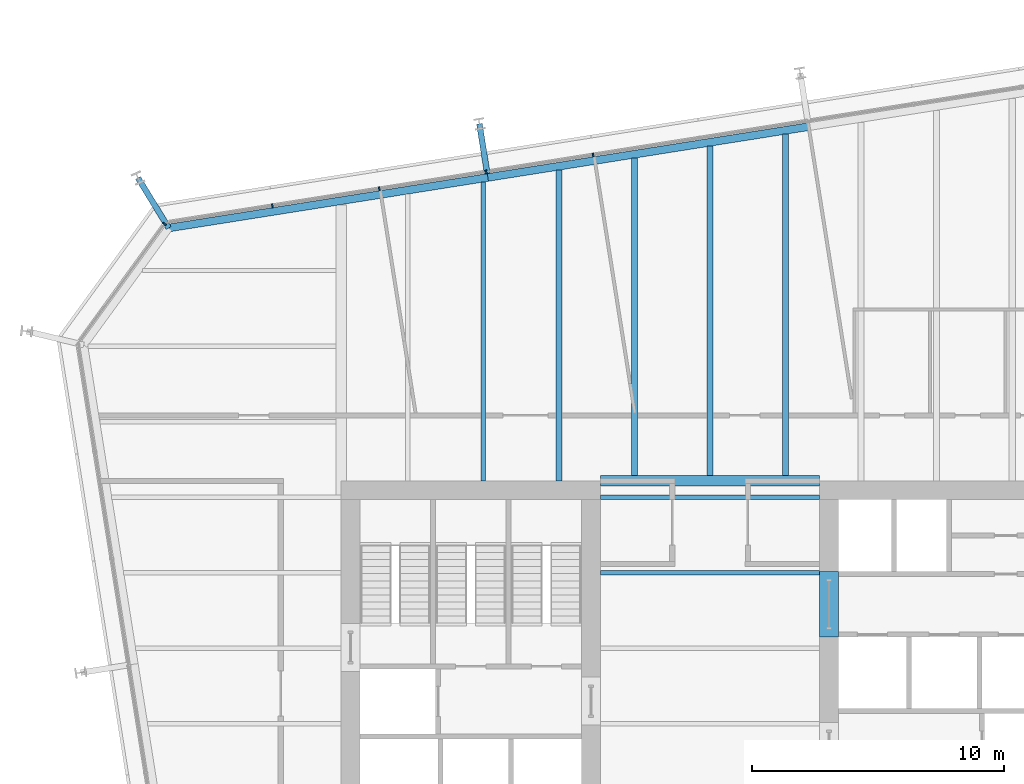
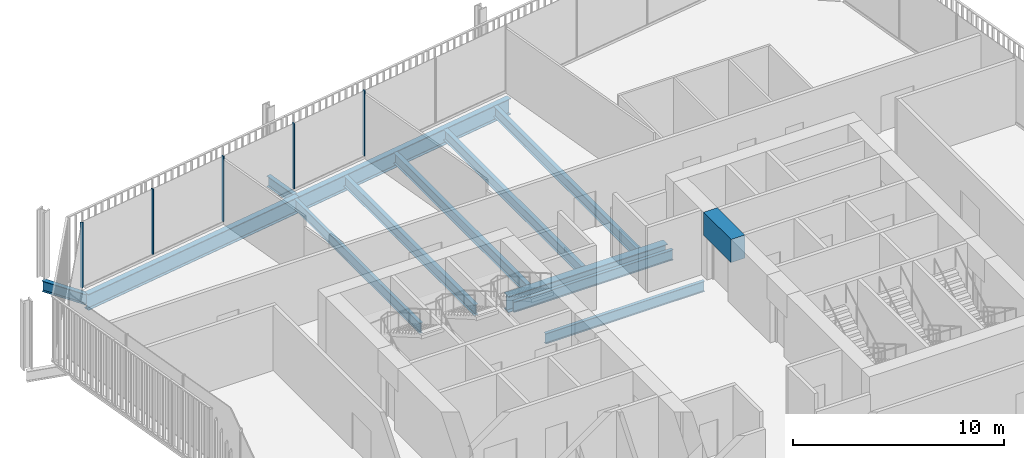
# One storey, part 11 of 21: 13 beams, 5 members, 2 elements without a shape of their own.
"""IFC4 building model written with IfcOpenShell, lengths in metres."""

import ifcopenshell
import ifcopenshell.guid

model = None  # the IFC model being written
_history = None  # IfcOwnerHistory: only IFC2X3 demands one
_inside = {}  # id of a spatial element -> (the spatial element, [elements in it])
_under = {}  # id of a project, library or spatial element -> (it, [spatial elements below it])
_declared = {}  # id of a project -> (the project, [libraries it declares])
_typed = {}  # id of a type object -> (the type object, [elements of that type])
_made_of = {}  # id of a material, layer set ... -> (it, [elements and type objects made of it])


def new_model(schema):
    """Start an empty IFC model of exactly this schema.

    Asked for "IFC4X3", IfcOpenShell would pick the latest addendum, in which some entities
    have other attributes; the version numbers below select the first issue.
    IFC2X3 requires an IfcOwnerHistory on every rooted entity: one is made here for all.
    """
    global model, _history
    if schema == "IFC4X3":
        model = ifcopenshell.file(schema_version=(4, 3, 0, 0))
    else:
        model = ifcopenshell.file(schema=schema)
    _inside.clear()
    _under.clear()
    _declared.clear()
    _typed.clear()
    _made_of.clear()
    _history = None
    if model.schema == "IFC2X3":
        org = make("IfcOrganization", Name="unknown")
        user = make(
            "IfcPersonAndOrganization",
            ThePerson=make("IfcPerson", FamilyName="unknown"),
            TheOrganization=org,
        )
        app = make(
            "IfcApplication",
            ApplicationDeveloper=org,
            Version="unknown",
            ApplicationFullName="unknown",
            ApplicationIdentifier="unknown",
        )
        _history = make(
            "IfcOwnerHistory",
            OwningUser=user,
            OwningApplication=app,
            ChangeAction="ADDED",
            CreationDate=0,
        )
    return model


def make(cls, **values):
    """One entity of the class cls with the attributes given. An attribute that is None is left unset."""
    return model.create_entity(
        cls, **{name: value for name, value in values.items() if value is not None}
    )


def rooted(cls, **values):
    """An entity with a GlobalId (a new one), such as an element, a storey or a relation."""
    return make(cls, GlobalId=ifcopenshell.guid.new(), OwnerHistory=_history, **values)


def si_unit(unit_type, name, prefix=None):
    """IfcSIUnit, for example si_unit("LENGTHUNIT", "METRE", prefix="MILLI")."""
    return make("IfcSIUnit", UnitType=unit_type, Prefix=prefix, Name=name)


def assignment(units):
    """IfcUnitAssignment: the units of a project."""
    return None if units is None else make("IfcUnitAssignment", Units=units)


def point(xyz):
    """IfcCartesianPoint."""
    return None if xyz is None else make("IfcCartesianPoint", Coordinates=xyz)


def direction(xyz):
    """IfcDirection."""
    return None if xyz is None else make("IfcDirection", DirectionRatios=xyz)


def frame(location, z_axis=None, x_axis=None):
    """IfcAxis2Placement3D, a coordinate frame: its origin and axes. An axis left out is left unset."""
    return make(
        "IfcAxis2Placement3D",
        Location=point(location),
        Axis=direction(z_axis),
        RefDirection=direction(x_axis),
    )


def frame_2d(location, x_axis=None):
    """IfcAxis2Placement2D, a coordinate frame in the plane: its origin and x axis."""
    return make(
        "IfcAxis2Placement2D", Location=point(location), RefDirection=direction(x_axis)
    )


def origin():
    """The frame at (0, 0, 0) with its axes left unset."""
    return frame((0.0, 0.0, 0.0))


def origin_2d():
    """The frame at (0, 0) in the plane with its x axis left unset."""
    return frame_2d((0.0, 0.0))


def place(relative_to, where):
    """IfcLocalPlacement: puts the frame where relative to a parent placement (None: the world)."""
    return make(
        "IfcLocalPlacement", PlacementRelTo=relative_to, RelativePlacement=where
    )


def context(
    kind, dimensions, precision=None, world=None, true_north=None, identifier=None
):
    """IfcGeometricRepresentationContext, for example the 3D "Model" context."""
    return make(
        "IfcGeometricRepresentationContext",
        ContextIdentifier=identifier,
        ContextType=kind,
        CoordinateSpaceDimension=dimensions,
        Precision=precision,
        WorldCoordinateSystem=world,
        TrueNorth=true_north,
    )


def subcontext(parent, identifier, kind, view, scale=None):
    """IfcGeometricRepresentationSubContext, for example "Body" below "Model"."""
    return make(
        "IfcGeometricRepresentationSubContext",
        ContextIdentifier=identifier,
        ContextType=kind,
        ParentContext=parent,
        TargetScale=scale,
        TargetView=view,
    )


def project(units=None, contexts=None):
    """IfcProject with its units and contexts."""
    return rooted(
        "IfcProject",
        Name="project",
        RepresentationContexts=contexts,
        UnitsInContext=assignment(units),
    )


def spatial(cls, under=None, at=None, **own):
    """A site, building, storey or space (cls), placed at a placement, below another one or the project."""
    s = rooted(cls, ObjectPlacement=at, **own)
    if under is not None:
        _under.setdefault(under.id(), (under, []))[1].append(s)
    return s


def profile(cls, at=None, kind="AREA", **sizes):
    """A parametric profile (cls). Its sizes go by their IFC names, for example OverallWidth=200.0."""
    return make(cls, ProfileType=kind, Position=at, **sizes)


def rectangle(**sizes):
    """IfcRectangleProfileDef."""
    return profile("IfcRectangleProfileDef", **sizes)


def i_section(**sizes):
    """IfcIShapeProfileDef."""
    return profile("IfcIShapeProfileDef", **sizes)


def extrude(swept, where, along, depth):
    """IfcExtrudedAreaSolid: the profile swept, set in the frame where, extruded along a direction by depth."""
    return make(
        "IfcExtrudedAreaSolid",
        SweptArea=swept,
        Position=where,
        ExtrudedDirection=direction(along),
        Depth=depth,
    )


def shape(context_of_items, identifier, shape_type, items):
    """IfcShapeRepresentation: the items that make up one representation, for example the "Body"."""
    return make(
        "IfcShapeRepresentation",
        ContextOfItems=context_of_items,
        RepresentationIdentifier=identifier,
        RepresentationType=shape_type,
        Items=items,
    )


def material(Name=None, Category=None):
    """IfcMaterial."""
    return make("IfcMaterial", Name=Name, Category=Category)


def layer(
    of_material, thickness, ventilated=None, Name=None, Category=None, Priority=None
):
    """IfcMaterialLayer: one layer of a wall or slab, of a material (None: an air gap)."""
    return make(
        "IfcMaterialLayer",
        Material=of_material,
        LayerThickness=thickness,
        IsVentilated=ventilated,
        Name=Name,
        Category=Category,
        Priority=Priority,
    )


def layer_set(layers, Name=None):
    """IfcMaterialLayerSet."""
    return make("IfcMaterialLayerSet", MaterialLayers=layers, LayerSetName=Name)


def material_profile(
    of_material, cross_section, Name=None, Category=None, Priority=None
):
    """IfcMaterialProfile: a cross section and its material."""
    return make(
        "IfcMaterialProfile",
        Name=Name,
        Material=of_material,
        Profile=cross_section,
        Priority=Priority,
        Category=Category,
    )


def profile_set(profiles, Name=None, composite=None):
    """IfcMaterialProfileSet."""
    return make(
        "IfcMaterialProfileSet",
        Name=Name,
        MaterialProfiles=profiles,
        CompositeProfile=composite,
    )


def made_of(thing, what):
    """Note that an element or type object is made of a material, layer set ...; save() writes the relation."""
    if what is not None:
        _made_of.setdefault(what.id(), (what, []))[1].append(thing)
    return thing


def type_object(cls, material=None, **own):
    """A type object (cls), such as IfcWallType, which elements share."""
    return made_of(rooted(cls, **own), material)


def element(
    cls,
    number,
    at=None,
    inside=None,
    cuts=None,
    type_object=None,
    material=None,
    context=None,
    identifier="Body",
    shape_type=None,
    held_by="IfcProductDefinitionShape",
    body=None,
    shapes=None,
    **own,
):
    """One element of the class cls, such as IfcWall. Its Tag is "e" and its number.

    at: its placement. inside: the storey or other place that contains it. cuts: it is an
    opening in that element (IfcRelVoidsElement). A single representation is given by context,
    identifier, shape_type and body (its items); several are given by shapes. held_by: the class
    of the entity that holds the representations. save() writes the other relations.
    """
    e = rooted(cls, Tag="e%d" % number, ObjectPlacement=at, **own)
    if body is not None:
        shapes = [shape(context, identifier, shape_type, body)]
    if shapes is not None:
        e.Representation = make(held_by, Representations=shapes)
    if inside is not None:
        _inside.setdefault(inside.id(), (inside, []))[1].append(e)
    if cuts is not None:
        rooted(
            "IfcRelVoidsElement", RelatingBuildingElement=cuts, RelatedOpeningElement=e
        )
    if type_object is not None:
        _typed.setdefault(type_object.id(), (type_object, []))[1].append(e)
    return made_of(e, material)


def aggregate(whole, parts):
    """IfcRelAggregates: a whole, such as a stair, and the parts it consists of."""
    return rooted("IfcRelAggregates", RelatingObject=whole, RelatedObjects=parts)


def save(model, path):
    """Write the relations noted so far, then the file.

    IfcRelAggregates (storeys below a building ...), IfcRelContainedInSpatialStructure (elements
    in a storey), IfcRelDefinesByType, IfcRelAssociatesMaterial and IfcRelDeclares: one each for
    every whole, place, type object, material and project.
    """
    for whole, parts in _under.values():
        aggregate(whole, parts)
    for where, things in _inside.values():
        rooted(
            "IfcRelContainedInSpatialStructure",
            RelatedElements=things,
            RelatingStructure=where,
        )
    for kind, things in _typed.values():
        rooted("IfcRelDefinesByType", RelatedObjects=things, RelatingType=kind)
    for what, things in _made_of.values():
        rooted("IfcRelAssociatesMaterial", RelatedObjects=things, RelatingMaterial=what)
    for by, libraries in _declared.values():
        rooted("IfcRelDeclares", RelatingContext=by, RelatedDefinitions=libraries)
    model.write(path)


model = new_model("IFC4")

# Units and contexts
model_context = context("Model", 3, precision=1e-05, world=origin(), true_north=direction((0.0, 1.0)))
body_context = subcontext(model_context, "Body", "Model", "MODEL_VIEW")
ifc_project = project(units=[si_unit("LENGTHUNIT", "METRE"), si_unit("AREAUNIT", "SQUARE_METRE"), si_unit("VOLUMEUNIT", "CUBIC_METRE"), si_unit("PLANEANGLEUNIT", "RADIAN"), si_unit("MASSUNIT", "GRAM", prefix="KILO")], contexts=[model_context])

# Site, building, storey
site_placement = place(None, origin())
site = spatial("IfcSite", under=ifc_project, at=site_placement, CompositionType="ELEMENT")
building_placement = place(site_placement, origin())
building = spatial("IfcBuilding", under=site, at=building_placement, Name="Millrace Tower", CompositionType="ELEMENT")
storey_placement = place(building_placement, frame((0.0, 0.0, 156.800048828125)))
storey = spatial("IfcBuildingStorey", under=building, at=storey_placement, Name="L35", CompositionType="ELEMENT", Elevation=156.800048828125)

# Curtain wall, members
ifc_material_1 = material(Name="Aluminium and glass", Category="aluminium")
ifc_layer = layer(ifc_material_1, 0.14990234375)
ifc_layer_set = layer_set([ifc_layer], Name="Aluminium and glass")
curtain_wall_type = type_object("IfcCurtainWallType", Name="CW-1 office vision curtain wall", PredefinedType="NOTDEFINED", material=ifc_layer_set)
placement = place(storey_placement, origin())
curtain_wall_1 = element("IfcCurtainWall", 1, at=placement, inside=storey, type_object=curtain_wall_type, Name="Curtain wall C-F06 L35", PredefinedType="NOTDEFINED")
ifc_material_2 = material(Name="Aluminium", Category="aluminium")
ifc_material_profile_1 = material_profile(ifc_material_2, rectangle(XDim=0.06494140625, YDim=0.14990234375, at=origin_2d()))
ifc_profile_set_1 = profile_set([ifc_material_profile_1], Name="Aluminium")
member_type = type_object("IfcMemberType", Name="CW-1 office vision curtain wall mullion", PredefinedType="MULLION", material=ifc_profile_set_1)
member_1_placement = place(storey_placement, frame((-4.6435546875, 22.59326171875, 0.139892578125), z_axis=(0.0, 0.0, 1.0), x_axis=(-0.98768833929, -0.15643447328, 0.0)))
member_1 = element("IfcMember", 2, at=member_1_placement, type_object=member_type, Name="CW1 mullion C-F06.6", PredefinedType="MULLION", context=body_context, shape_type="SweptSolid", body=[
    extrude(rectangle(XDim=0.06494140625, YDim=0.14990234375, at=origin_2d()), origin(), (0.0, 0.0, 1.0), 3.760009765625),
])
member_2_placement = place(storey_placement, frame((-8.890625, 21.920654296875, 0.139892578125), z_axis=(0.0, 0.0, 1.0), x_axis=(-0.98768833929, -0.15643447328, 0.0)))
member_2 = element("IfcMember", 3, at=member_2_placement, type_object=member_type, Name="CW1 mullion C-F06.7", PredefinedType="MULLION", context=body_context, shape_type="SweptSolid", body=[
    extrude(rectangle(XDim=0.06494140625, YDim=0.14990234375, at=origin_2d()), origin(), (0.0, 0.0, 1.0), 3.760009765625),
])
member_3_placement = place(storey_placement, frame((-13.1376953125, 21.248046875, 0.139892578125), z_axis=(0.0, 0.0, 1.0), x_axis=(-0.98768833929, -0.15643447328, 0.0)))
member_3 = element("IfcMember", 4, at=member_3_placement, type_object=member_type, Name="CW1 mullion C-F06.8", PredefinedType="MULLION", context=body_context, shape_type="SweptSolid", body=[
    extrude(rectangle(XDim=0.06494140625, YDim=0.14990234375, at=origin_2d()), origin(), (0.0, 0.0, 1.0), 3.760009765625),
])
member_4_placement = place(storey_placement, frame((-17.384765625, 20.575439453125, 0.139892578125), z_axis=(0.0, 0.0, 1.0), x_axis=(-0.98768833929, -0.15643447328, 0.0)))
member_4 = element("IfcMember", 5, at=member_4_placement, type_object=member_type, Name="CW1 mullion C-F06.9", PredefinedType="MULLION", context=body_context, shape_type="SweptSolid", body=[
    extrude(rectangle(XDim=0.06494140625, YDim=0.14990234375, at=origin_2d()), origin(), (0.0, 0.0, 1.0), 3.760009765625),
])
aggregate(curtain_wall_1, [member_1, member_2, member_3, member_4])

# Curtain wall, member
curtain_wall_2 = element("IfcCurtainWall", 6, at=placement, inside=storey, type_object=curtain_wall_type, Name="Curtain wall C-F07 L35", PredefinedType="NOTDEFINED")
member_5_placement = place(storey_placement, frame((-21.667724609375, 19.8515625, 0.139892578125), z_axis=(0.0, 0.0, 1.0), x_axis=(-0.587785269844, -0.809016981623, 0.0)))
member_5 = element("IfcMember", 7, at=member_5_placement, type_object=member_type, Name="CW1 mullion C-F07.1", PredefinedType="MULLION", context=body_context, shape_type="SweptSolid", body=[
    extrude(rectangle(XDim=0.06494140625, YDim=0.14990234375, at=origin_2d()), origin(), (0.0, 0.0, 1.0), 3.760009765625),
])
aggregate(curtain_wall_2, [member_5])

# Beams
ifc_material_3 = material(Name="Concrete C70", Category="concrete")
ifc_material_profile_2 = material_profile(ifc_material_3, rectangle(XDim=0.75, YDim=1.340087890625, at=origin_2d()))
ifc_profile_set_2 = profile_set([ifc_material_profile_2], Name="Concrete C70")
beam_type_1 = type_object("IfcBeamType", Name="Coupling beam 750 x 1340 Concrete C70, 2000 opening", PredefinedType="BEAM", material=ifc_profile_set_2)
beam_1_placement = place(storey_placement, frame((4.72509765625, 6.050048828125, 3.070068359375), z_axis=(0.0, -1.0, 0.0), x_axis=(1.0, 0.0, 0.0)))
element("IfcBeam", 8, at=beam_1_placement, inside=storey, type_object=beam_type_1, Name="Coupling beam E L35", PredefinedType="BEAM", context=body_context, shape_type="SweptSolid", body=[
    extrude(rectangle(XDim=0.75, YDim=1.340087890625, at=origin_2d()), origin(), (0.0, 0.0, 1.0), 2.60009765625),
])
ifc_material_4 = material(Name="Steel ASTM A992 Grade 50", Category="steel")
ifc_material_profile_3 = material_profile(ifc_material_4, i_section(OverallWidth=0.177978515625, OverallDepth=0.599365234375, WebThickness=0.010009765625, FlangeThickness=0.012939453125, FilletRadius=0.012939453125, at=origin_2d()))
ifc_profile_set_3 = profile_set([ifc_material_profile_3], Name="Steel ASTM A992 Grade 50")
beam_type_2 = type_object("IfcBeamType", Name="Floor beam W24x55", PredefinedType="JOIST", material=ifc_profile_set_3)
for number, where, z_axis, x_axis, name in (
    (9, (-4.35009765625, 6.0, -0.459716796875), (1.0, 0.0, 0.0), (0.0, 1.0, 0.0), "BM-C-L35-S1-S025"),
    (10, (-4.35009765625, 9.0, -0.459716796875), (1.0, 0.0, 0.0), (0.0, 1.0, 0.0), "BM-C-L35-S1-S028"),
):
    element("IfcBeam", number, at=place(storey_placement, frame(where, z_axis=z_axis, x_axis=x_axis)), inside=storey, type_object=beam_type_2, Name=name, PredefinedType="JOIST", context=body_context, shape_type="SweptSolid", body=[
        extrude(i_section(OverallWidth=0.177978515625, OverallDepth=0.599365234375, WebThickness=0.010009765625, FlangeThickness=0.012939453125, FilletRadius=0.012939453125, at=origin_2d()), origin(), (0.0, 0.0, 1.0), 8.7001953125),
    ])
ifc_material_5 = material(Name="Steel ASTM A992 Grade 50", Category="steel")
ifc_material_profile_4 = material_profile(ifc_material_5, i_section(OverallWidth=0.1787109375, OverallDepth=0.60205078125, WebThickness=0.010986328125, FlangeThickness=0.014892578125, FilletRadius=0.0126953125, at=origin_2d()))
ifc_profile_set_4 = profile_set([ifc_material_profile_4], Name="Steel ASTM A992 Grade 50")
beam_type_3 = type_object("IfcBeamType", Name="Floor beam W24x62", PredefinedType="JOIST", material=ifc_profile_set_4)
beam_2_placement = place(storey_placement, frame((-9.0, 9.64990234375, -0.4609375), z_axis=(0.0, 1.0, 0.0), x_axis=(-1.0, 0.0, 0.0)))
element("IfcBeam", 11, at=beam_2_placement, inside=storey, type_object=beam_type_3, Name="BM-C-L35-S1-S041", PredefinedType="JOIST", context=body_context, shape_type="SweptSolid", body=[
    extrude(i_section(OverallWidth=0.1787109375, OverallDepth=0.60205078125, WebThickness=0.010986328125, FlangeThickness=0.014892578125, FilletRadius=0.0126953125, at=origin_2d()), origin(), (0.0, 0.0, 1.0), 11.866455078125),
])
ifc_material_6 = material(Name="Steel ASTM A992 Grade 50", Category="steel")
ifc_material_profile_5 = material_profile(ifc_material_6, i_section(OverallWidth=0.228271484375, OverallDepth=0.607177734375, WebThickness=0.01123046875, FlangeThickness=0.017333984375, FilletRadius=0.0126953125, at=origin_2d()))
ifc_profile_set_5 = profile_set([ifc_material_profile_5], Name="Steel ASTM A992 Grade 50")
beam_type_4 = type_object("IfcBeamType", Name="Floor beam W24x76", PredefinedType="JOIST", material=ifc_profile_set_5)
beam_3_placement = place(storey_placement, frame((-6.0, 9.64990234375, -0.463623046875), z_axis=(0.0, 1.0, 0.0), x_axis=(-1.0, 0.0, 0.0)))
element("IfcBeam", 12, at=beam_3_placement, inside=storey, type_object=beam_type_4, Name="BM-C-L35-S1-S043", PredefinedType="JOIST", context=body_context, shape_type="SweptSolid", body=[
    extrude(i_section(OverallWidth=0.228271484375, OverallDepth=0.607177734375, WebThickness=0.01123046875, FlangeThickness=0.017333984375, FilletRadius=0.0126953125, at=origin_2d()), origin(), (0.0, 0.0, 1.0), 12.341552734375),
])
beam_4_placement = place(storey_placement, frame((-3.0, 9.859619140625, -0.463623046875), z_axis=(0.0, 1.0, 0.0), x_axis=(-1.0, 0.0, 0.0)))
element("IfcBeam", 13, at=beam_4_placement, inside=storey, type_object=beam_type_4, Name="BM-C-L35-S1-S045", PredefinedType="JOIST", context=body_context, shape_type="SweptSolid", body=[
    extrude(i_section(OverallWidth=0.228271484375, OverallDepth=0.607177734375, WebThickness=0.01123046875, FlangeThickness=0.017333984375, FilletRadius=0.0126953125, at=origin_2d()), origin(), (0.0, 0.0, 1.0), 12.60693359375),
])
beam_5_placement = place(storey_placement, frame((0.0, 9.859619140625, -0.463623046875), z_axis=(0.0, 1.0, 0.0), x_axis=(-1.0, 0.0, 0.0)))
element("IfcBeam", 14, at=beam_5_placement, inside=storey, type_object=beam_type_4, Name="BM-C-L35-S1-S047", PredefinedType="JOIST", context=body_context, shape_type="SweptSolid", body=[
    extrude(i_section(OverallWidth=0.228271484375, OverallDepth=0.607177734375, WebThickness=0.01123046875, FlangeThickness=0.017333984375, FilletRadius=0.0126953125, at=origin_2d()), origin(), (0.0, 0.0, 1.0), 13.08203125),
])
beam_6_placement = place(storey_placement, frame((3.0, 9.859619140625, -0.463623046875), z_axis=(0.0, 1.0, 0.0), x_axis=(-1.0, 0.0, 0.0)))
element("IfcBeam", 15, at=beam_6_placement, inside=storey, type_object=beam_type_4, Name="BM-C-L35-S1-S049", PredefinedType="JOIST", context=body_context, shape_type="SweptSolid", body=[
    extrude(i_section(OverallWidth=0.228271484375, OverallDepth=0.607177734375, WebThickness=0.01123046875, FlangeThickness=0.017333984375, FilletRadius=0.0126953125, at=origin_2d()), origin(), (0.0, 0.0, 1.0), 13.55712890625),
])
ifc_material_7 = material(Name="Steel ASTM A992 Grade 50", Category="steel")
ifc_material_profile_6 = material_profile(ifc_material_7, i_section(OverallWidth=0.419189453125, OverallDepth=0.927001953125, WebThickness=0.019287109375, FlangeThickness=0.031982421875, FilletRadius=0.024169921875, at=origin_2d()))
ifc_profile_set_6 = profile_set([ifc_material_profile_6], Name="Steel ASTM A992 Grade 50")
beam_type_5 = type_object("IfcBeamType", Name="Girder short span W36x231", PredefinedType="BEAM", material=ifc_profile_set_6)
beam_7_placement = place(storey_placement, frame((-4.35009765625, 9.64990234375, -0.62353515625), z_axis=(1.0, 0.0, 0.0), x_axis=(0.0, 1.0, 0.0)))
element("IfcBeam", 16, at=beam_7_placement, inside=storey, type_object=beam_type_5, Name="BM-C-L35-S1-G061", PredefinedType="BEAM", context=body_context, shape_type="SweptSolid", body=[
    extrude(i_section(OverallWidth=0.419189453125, OverallDepth=0.927001953125, WebThickness=0.019287109375, FlangeThickness=0.031982421875, FilletRadius=0.024169921875, at=origin_2d()), origin(), (0.0, 0.0, 1.0), 8.7001953125),
])
ifc_material_8 = material(Name="Steel ASTM A992 Grade 50", Category="steel")
ifc_material_profile_7 = material_profile(ifc_material_8, i_section(OverallWidth=0.23046875, OverallDepth=0.6171875, WebThickness=0.01318359375, FlangeThickness=0.022216796875, FilletRadius=0.012939453125, at=origin_2d()))
ifc_profile_set_7 = profile_set([ifc_material_profile_7], Name="Steel ASTM A992 Grade 50")
beam_type_6 = type_object("IfcBeamType", Name="Link beam W24x94", PredefinedType="BEAM", material=ifc_profile_set_7)
beam_8_placement = place(storey_placement, frame((-21.5009765625, 19.69189453125, -0.46875), z_axis=(-0.522512938711, 0.852631355792, 0.0), x_axis=(-0.852631355792, -0.522512938711, 0.0)))
element("IfcBeam", 17, at=beam_8_placement, inside=storey, type_object=beam_type_6, Name="LNK-C-L35-S1-05", PredefinedType="BEAM", context=body_context, shape_type="SweptSolid", body=[
    extrude(i_section(OverallWidth=0.23046875, OverallDepth=0.6171875, WebThickness=0.01318359375, FlangeThickness=0.022216796875, FilletRadius=0.012939453125, at=origin_2d()), origin(), (0.0, 0.0, 1.0), 2.3310546875),
])
beam_9_placement = place(storey_placement, frame((-8.8466796875, 21.8515625, -0.46875), z_axis=(-0.156476509441, 0.987681680499, 0.0), x_axis=(-0.987681680499, -0.156476509441, 0.0)))
element("IfcBeam", 18, at=beam_9_placement, inside=storey, type_object=beam_type_6, Name="LNK-C-L35-S1-06", PredefinedType="BEAM", context=body_context, shape_type="SweptSolid", body=[
    extrude(i_section(OverallWidth=0.23046875, OverallDepth=0.6171875, WebThickness=0.01318359375, FlangeThickness=0.022216796875, FilletRadius=0.012939453125, at=origin_2d()), origin(), (0.0, 0.0, 1.0), 2.000244140625),
])
ifc_material_9 = material(Name="Steel ASTM A992 Grade 50", Category="steel")
ifc_material_profile_8 = material_profile(ifc_material_9, i_section(OverallWidth=0.307373046875, OverallDepth=0.927001953125, WebThickness=0.01953125, FlangeThickness=0.031982421875, FilletRadius=0.01904296875, at=origin_2d()))
ifc_profile_set_8 = profile_set([ifc_material_profile_8], Name="Steel ASTM A992 Grade 50")
beam_type_7 = type_object("IfcBeamType", Name="Ring beam medium span W36x194", PredefinedType="SPANDREL", material=ifc_profile_set_8)
beam_10_placement = place(storey_placement, frame((-21.5009765625, 19.69189453125, -0.62353515625), z_axis=(0.987688058438, 0.156436246498, 0.0), x_axis=(-0.156436246498, 0.987688058438, 0.0)))
element("IfcBeam", 19, at=beam_10_placement, inside=storey, type_object=beam_type_7, Name="RNG-C-L35-S1-05", PredefinedType="SPANDREL", context=body_context, shape_type="SweptSolid", body=[
    extrude(i_section(OverallWidth=0.307373046875, OverallDepth=0.927001953125, WebThickness=0.01953125, FlangeThickness=0.031982421875, FilletRadius=0.01904296875, at=origin_2d()), origin(), (0.0, 0.0, 1.0), 12.836181640625),
])
beam_11_placement = place(storey_placement, frame((-8.82275390625, 21.699951171875, -0.62353515625), z_axis=(0.987687659758, 0.156438763615, 0.0), x_axis=(-0.156438763615, 0.987687659758, 0.0)))
element("IfcBeam", 20, at=beam_11_placement, inside=storey, type_object=beam_type_7, Name="RNG-C-L35-S1-06", PredefinedType="SPANDREL", context=body_context, shape_type="SweptSolid", body=[
    extrude(i_section(OverallWidth=0.307373046875, OverallDepth=0.927001953125, WebThickness=0.01953125, FlangeThickness=0.031982421875, FilletRadius=0.01904296875, at=origin_2d()), origin(), (0.0, 0.0, 1.0), 12.900146484375),
])

save(model, "model.ifc")
